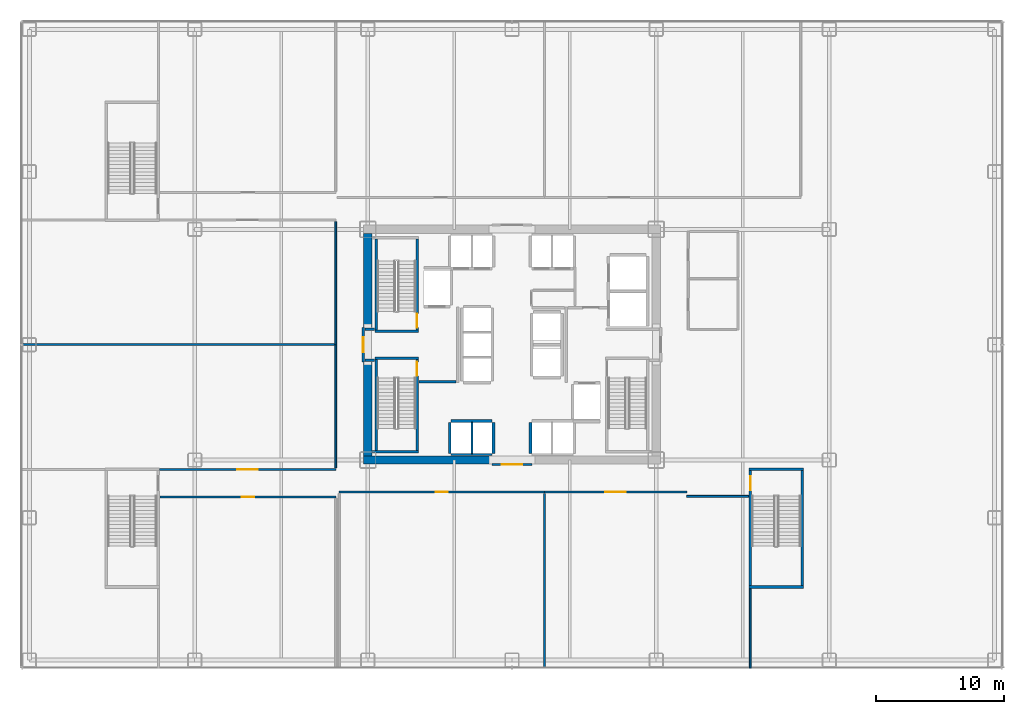
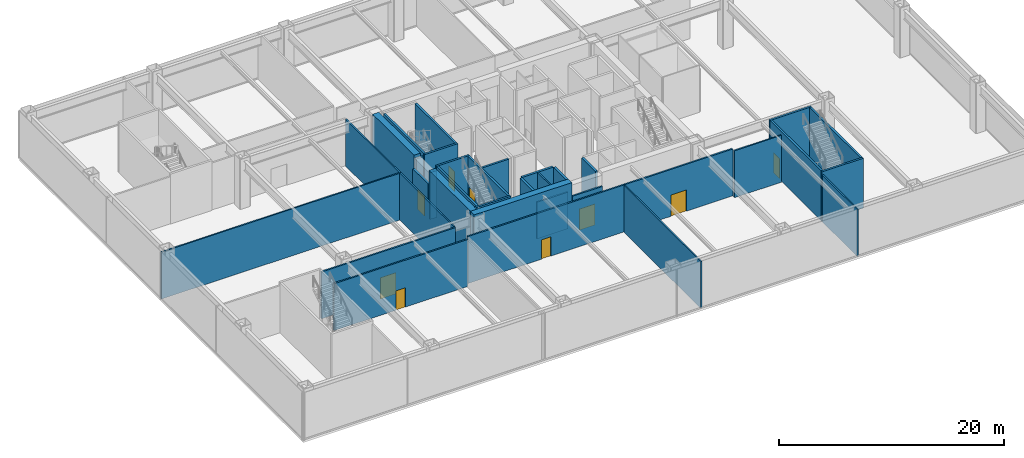
# One storey, part 17 of 24: 35 walls, 9 doors, 9 openings.
"""IFC4 building model written with IfcOpenShell, lengths in metres."""

import ifcopenshell
import ifcopenshell.guid

model = None  # the IFC model being written
_history = None  # IfcOwnerHistory: only IFC2X3 demands one
_inside = {}  # id of a spatial element -> (the spatial element, [elements in it])
_under = {}  # id of a project, library or spatial element -> (it, [spatial elements below it])
_declared = {}  # id of a project -> (the project, [libraries it declares])
_typed = {}  # id of a type object -> (the type object, [elements of that type])
_made_of = {}  # id of a material, layer set ... -> (it, [elements and type objects made of it])


def new_model(schema):
    """Start an empty IFC model of exactly this schema.

    Asked for "IFC4X3", IfcOpenShell would pick the latest addendum, in which some entities
    have other attributes; the version numbers below select the first issue.
    IFC2X3 requires an IfcOwnerHistory on every rooted entity: one is made here for all.
    """
    global model, _history
    if schema == "IFC4X3":
        model = ifcopenshell.file(schema_version=(4, 3, 0, 0))
    else:
        model = ifcopenshell.file(schema=schema)
    _inside.clear()
    _under.clear()
    _declared.clear()
    _typed.clear()
    _made_of.clear()
    _history = None
    if model.schema == "IFC2X3":
        org = make("IfcOrganization", Name="unknown")
        user = make(
            "IfcPersonAndOrganization",
            ThePerson=make("IfcPerson", FamilyName="unknown"),
            TheOrganization=org,
        )
        app = make(
            "IfcApplication",
            ApplicationDeveloper=org,
            Version="unknown",
            ApplicationFullName="unknown",
            ApplicationIdentifier="unknown",
        )
        _history = make(
            "IfcOwnerHistory",
            OwningUser=user,
            OwningApplication=app,
            ChangeAction="ADDED",
            CreationDate=0,
        )
    return model


def make(cls, **values):
    """One entity of the class cls with the attributes given. An attribute that is None is left unset."""
    return model.create_entity(
        cls, **{name: value for name, value in values.items() if value is not None}
    )


def rooted(cls, **values):
    """An entity with a GlobalId (a new one), such as an element, a storey or a relation."""
    return make(cls, GlobalId=ifcopenshell.guid.new(), OwnerHistory=_history, **values)


def si_unit(unit_type, name, prefix=None):
    """IfcSIUnit, for example si_unit("LENGTHUNIT", "METRE", prefix="MILLI")."""
    return make("IfcSIUnit", UnitType=unit_type, Prefix=prefix, Name=name)


def assignment(units):
    """IfcUnitAssignment: the units of a project."""
    return None if units is None else make("IfcUnitAssignment", Units=units)


def point(xyz):
    """IfcCartesianPoint."""
    return None if xyz is None else make("IfcCartesianPoint", Coordinates=xyz)


def direction(xyz):
    """IfcDirection."""
    return None if xyz is None else make("IfcDirection", DirectionRatios=xyz)


def frame(location, z_axis=None, x_axis=None):
    """IfcAxis2Placement3D, a coordinate frame: its origin and axes. An axis left out is left unset."""
    return make(
        "IfcAxis2Placement3D",
        Location=point(location),
        Axis=direction(z_axis),
        RefDirection=direction(x_axis),
    )


def frame_2d(location, x_axis=None):
    """IfcAxis2Placement2D, a coordinate frame in the plane: its origin and x axis."""
    return make(
        "IfcAxis2Placement2D", Location=point(location), RefDirection=direction(x_axis)
    )


def origin():
    """The frame at (0, 0, 0) with its axes left unset."""
    return frame((0.0, 0.0, 0.0))


def place(relative_to, where):
    """IfcLocalPlacement: puts the frame where relative to a parent placement (None: the world)."""
    return make(
        "IfcLocalPlacement", PlacementRelTo=relative_to, RelativePlacement=where
    )


def context(
    kind, dimensions, precision=None, world=None, true_north=None, identifier=None
):
    """IfcGeometricRepresentationContext, for example the 3D "Model" context."""
    return make(
        "IfcGeometricRepresentationContext",
        ContextIdentifier=identifier,
        ContextType=kind,
        CoordinateSpaceDimension=dimensions,
        Precision=precision,
        WorldCoordinateSystem=world,
        TrueNorth=true_north,
    )


def subcontext(parent, identifier, kind, view, scale=None):
    """IfcGeometricRepresentationSubContext, for example "Body" below "Model"."""
    return make(
        "IfcGeometricRepresentationSubContext",
        ContextIdentifier=identifier,
        ContextType=kind,
        ParentContext=parent,
        TargetScale=scale,
        TargetView=view,
    )


def project(units=None, contexts=None):
    """IfcProject with its units and contexts."""
    return rooted(
        "IfcProject",
        Name="project",
        RepresentationContexts=contexts,
        UnitsInContext=assignment(units),
    )


def spatial(cls, under=None, at=None, **own):
    """A site, building, storey or space (cls), placed at a placement, below another one or the project."""
    s = rooted(cls, ObjectPlacement=at, **own)
    if under is not None:
        _under.setdefault(under.id(), (under, []))[1].append(s)
    return s


def profile(cls, at=None, kind="AREA", **sizes):
    """A parametric profile (cls). Its sizes go by their IFC names, for example OverallWidth=200.0."""
    return make(cls, ProfileType=kind, Position=at, **sizes)


def rectangle(**sizes):
    """IfcRectangleProfileDef."""
    return profile("IfcRectangleProfileDef", **sizes)


def extrude(swept, where, along, depth):
    """IfcExtrudedAreaSolid: the profile swept, set in the frame where, extruded along a direction by depth."""
    return make(
        "IfcExtrudedAreaSolid",
        SweptArea=swept,
        Position=where,
        ExtrudedDirection=direction(along),
        Depth=depth,
    )


def shape(context_of_items, identifier, shape_type, items):
    """IfcShapeRepresentation: the items that make up one representation, for example the "Body"."""
    return make(
        "IfcShapeRepresentation",
        ContextOfItems=context_of_items,
        RepresentationIdentifier=identifier,
        RepresentationType=shape_type,
        Items=items,
    )


def source(mapping_origin, context_of_items, identifier, shape_type, items):
    """IfcRepresentationMap: a shape defined once, which mapped items show again and again."""
    return make(
        "IfcRepresentationMap",
        MappingOrigin=mapping_origin,
        MappedRepresentation=shape(context_of_items, identifier, shape_type, items),
    )


def transform(
    local_origin,
    x_axis=None,
    y_axis=None,
    z_axis=None,
    scale=None,
    scale2=None,
    scale3=None,
    uniform=True,
):
    """IfcCartesianTransformationOperator3D, or its non-uniform kind. x_axis, y_axis, z_axis: its Axis1, 2, 3."""
    if uniform:
        return make(
            "IfcCartesianTransformationOperator3D",
            Axis1=direction(x_axis),
            Axis2=direction(y_axis),
            LocalOrigin=point(local_origin),
            Scale=scale,
            Axis3=direction(z_axis),
        )
    return make(
        "IfcCartesianTransformationOperator3DnonUniform",
        Axis1=direction(x_axis),
        Axis2=direction(y_axis),
        LocalOrigin=point(local_origin),
        Scale=scale,
        Axis3=direction(z_axis),
        Scale2=scale2,
        Scale3=scale3,
    )


def mapped(mapping_source, mapping_target):
    """IfcMappedItem: shows the shape of a source again, moved by a transform."""
    return make(
        "IfcMappedItem", MappingSource=mapping_source, MappingTarget=mapping_target
    )


def material(Name=None, Category=None):
    """IfcMaterial."""
    return make("IfcMaterial", Name=Name, Category=Category)


def layer(
    of_material, thickness, ventilated=None, Name=None, Category=None, Priority=None
):
    """IfcMaterialLayer: one layer of a wall or slab, of a material (None: an air gap)."""
    return make(
        "IfcMaterialLayer",
        Material=of_material,
        LayerThickness=thickness,
        IsVentilated=ventilated,
        Name=Name,
        Category=Category,
        Priority=Priority,
    )


def layer_set(layers, Name=None):
    """IfcMaterialLayerSet."""
    return make("IfcMaterialLayerSet", MaterialLayers=layers, LayerSetName=Name)


def made_of(thing, what):
    """Note that an element or type object is made of a material, layer set ...; save() writes the relation."""
    if what is not None:
        _made_of.setdefault(what.id(), (what, []))[1].append(thing)
    return thing


def type_object(cls, material=None, **own):
    """A type object (cls), such as IfcWallType, which elements share."""
    return made_of(rooted(cls, **own), material)


def element(
    cls,
    number,
    at=None,
    inside=None,
    cuts=None,
    type_object=None,
    material=None,
    context=None,
    identifier="Body",
    shape_type=None,
    held_by="IfcProductDefinitionShape",
    body=None,
    shapes=None,
    **own,
):
    """One element of the class cls, such as IfcWall. Its Tag is "e" and its number.

    at: its placement. inside: the storey or other place that contains it. cuts: it is an
    opening in that element (IfcRelVoidsElement). A single representation is given by context,
    identifier, shape_type and body (its items); several are given by shapes. held_by: the class
    of the entity that holds the representations. save() writes the other relations.
    """
    e = rooted(cls, Tag="e%d" % number, ObjectPlacement=at, **own)
    if body is not None:
        shapes = [shape(context, identifier, shape_type, body)]
    if shapes is not None:
        e.Representation = make(held_by, Representations=shapes)
    if inside is not None:
        _inside.setdefault(inside.id(), (inside, []))[1].append(e)
    if cuts is not None:
        rooted(
            "IfcRelVoidsElement", RelatingBuildingElement=cuts, RelatedOpeningElement=e
        )
    if type_object is not None:
        _typed.setdefault(type_object.id(), (type_object, []))[1].append(e)
    return made_of(e, material)


def fill(opening, filler):
    """IfcRelFillsElement: the door or window that sits in an opening."""
    return rooted(
        "IfcRelFillsElement",
        RelatingOpeningElement=opening,
        RelatedBuildingElement=filler,
    )


def aggregate(whole, parts):
    """IfcRelAggregates: a whole, such as a stair, and the parts it consists of."""
    return rooted("IfcRelAggregates", RelatingObject=whole, RelatedObjects=parts)


def save(model, path):
    """Write the relations noted so far, then the file.

    IfcRelAggregates (storeys below a building ...), IfcRelContainedInSpatialStructure (elements
    in a storey), IfcRelDefinesByType, IfcRelAssociatesMaterial and IfcRelDeclares: one each for
    every whole, place, type object, material and project.
    """
    for whole, parts in _under.values():
        aggregate(whole, parts)
    for where, things in _inside.values():
        rooted(
            "IfcRelContainedInSpatialStructure",
            RelatedElements=things,
            RelatingStructure=where,
        )
    for kind, things in _typed.values():
        rooted("IfcRelDefinesByType", RelatedObjects=things, RelatingType=kind)
    for what, things in _made_of.values():
        rooted("IfcRelAssociatesMaterial", RelatedObjects=things, RelatingMaterial=what)
    for by, libraries in _declared.values():
        rooted("IfcRelDeclares", RelatingContext=by, RelatedDefinitions=libraries)
    model.write(path)


model = new_model("IFC4")

# Units and contexts
model_context = context("Model", 3, precision=1e-05, world=origin(), true_north=direction((0.0, 1.0)))
body_context = subcontext(model_context, "Body", "Model", "MODEL_VIEW")
ifc_project = project(units=[si_unit("LENGTHUNIT", "METRE"), si_unit("AREAUNIT", "SQUARE_METRE"), si_unit("VOLUMEUNIT", "CUBIC_METRE"), si_unit("PLANEANGLEUNIT", "RADIAN"), si_unit("MASSUNIT", "GRAM", prefix="KILO")], contexts=[model_context])

# Site, building, storey
site_placement = place(None, origin())
site = spatial("IfcSite", under=ifc_project, at=site_placement, CompositionType="ELEMENT")
building_placement = place(site_placement, origin())
building = spatial("IfcBuilding", under=site, at=building_placement, Name="Nefas-Gora Pilgrimage Tower", CompositionType="ELEMENT")
storey_placement = place(building_placement, frame((0.0, 0.0, 16.800048828125)))
storey = spatial("IfcBuildingStorey", under=building, at=storey_placement, Name="L03", CompositionType="ELEMENT", Elevation=16.800048828125)

# Walls
ifc_material_1 = material(Name="Concrete C60/75", Category="concrete")
ifc_layer_1 = layer(ifc_material_1, 0.64990234375)
ifc_layer_set_1 = layer_set([ifc_layer_1], Name="Concrete C60/75")
wall_type_1 = type_object("IfcWallType", Name="SW-CORE-650", PredefinedType="SHEAR", material=ifc_layer_set_1)
shared_shape_1 = source(origin(), body_context, "Body", "SweptSolid", [
    extrude(rectangle(XDim=10.02490234375, YDim=0.64990234375, at=frame_2d((5.012451171875, 0.0))), origin(), (0.0, 0.0, 1.0), 5.39990234375),
])
wall_1_placement = place(storey_placement, frame((-11.574951171875, -9.0, 0.0), z_axis=(0.0, 0.0, 1.0), x_axis=(1.0, 0.0, 0.0)))
element("IfcWall", 1, at=wall_1_placement, inside=storey, type_object=wall_type_1, Name="L03 Core Shear Wall S-West", PredefinedType="SHEAR", context=body_context, shape_type="MappedRepresentation", body=[
    mapped(shared_shape_1, transform((0.0, 0.0, 0.0), x_axis=(1.0, 0.0, 0.0), y_axis=(0.0, 1.0, 0.0), z_axis=(0.0, 0.0, 1.0), scale=1.0)),
])
shared_shape_2 = source(origin(), body_context, "Body", "SweptSolid", [
    extrude(rectangle(XDim=7.324951171875, YDim=0.64990234375, at=frame_2d((3.66259765625, 0.0))), origin(), (0.0, 0.0, 1.0), 5.39990234375),
])
for number, where, z_axis, x_axis, name in (
    (2, (-11.25, -8.675048828125, 0.0), (0.0, 0.0, 1.0), (0.0, 1.0, 0.0), "L03 Core Shear Wall W-South"),
    (3, (-11.25, 1.35009765625, 0.0), (0.0, 0.0, 1.0), (0.0, 1.0, 0.0), "L03 Core Shear Wall W-North"),
):
    element("IfcWall", number, at=place(storey_placement, frame(where, z_axis=z_axis, x_axis=x_axis)), inside=storey, type_object=wall_type_1, Name=name, PredefinedType="SHEAR", context=body_context, shape_type="MappedRepresentation", body=[
        mapped(shared_shape_2, transform((0.0, 0.0, 0.0), x_axis=(1.0, 0.0, 0.0), y_axis=(0.0, 1.0, 0.0), z_axis=(0.0, 0.0, 1.0), scale=1.0)),
    ])
ifc_material_2 = material(Name="Concrete C45/55", Category="concrete")
ifc_layer_2 = layer(ifc_material_2, 0.199951171875)
ifc_layer_set_2 = layer_set([ifc_layer_2], Name="Concrete C45/55")
wall_type_2 = type_object("IfcWallType", Name="IW-STAIR-200", PredefinedType="SOLIDWALL", material=ifc_layer_set_2)
shared_shape_3 = source(origin(), body_context, "Body", "SweptSolid", [
    extrude(rectangle(XDim=3.39990234375, YDim=0.199951171875, at=frame_2d((1.699951171875, 0.0))), origin(), (0.0, 0.0, 1.0), 5.39990234375),
])
for number, where, z_axis, x_axis, name in (
    (4, (-7.300048828125, 1.050048828125, 0.0), (0.0, 0.0, 1.0), (-1.0, 0.0, 0.0), "L03 Stairwell Shear Wall ST-01-near"),
    (5, (-10.699951171875, -1.050048828125, 0.0), (0.0, 0.0, 1.0), (1.0, 0.0, 0.0), "L03 Stairwell Shear Wall ST-03-near"),
):
    element("IfcWall", number, at=place(storey_placement, frame(where, z_axis=z_axis, x_axis=x_axis)), inside=storey, type_object=wall_type_2, Name=name, PredefinedType="SOLIDWALL", context=body_context, shape_type="MappedRepresentation", body=[
        mapped(shared_shape_3, transform((0.0, 0.0, 0.0), x_axis=(1.0, 0.0, 0.0), y_axis=(0.0, 1.0, 0.0), z_axis=(0.0, 0.0, 1.0), scale=1.0)),
    ])
shared_shape_4 = source(origin(), body_context, "Body", "SweptSolid", [
    extrude(rectangle(XDim=3.6298828125, YDim=0.199951171875, at=frame_2d((1.81494140625, 0.0))), origin(), (0.0, 0.0, 1.0), 5.39990234375),
])
wall_2_placement = place(storey_placement, frame((-10.929931640625, -8.35009765625, 0.0), z_axis=(0.0, 0.0, 1.0), x_axis=(1.0, 0.0, 0.0)))
element("IfcWall", 6, at=wall_2_placement, inside=storey, type_object=wall_type_2, Name="L03 Stairwell Shear Wall ST-03-far", PredefinedType="SOLIDWALL", context=body_context, shape_type="MappedRepresentation", body=[
    mapped(shared_shape_4, transform((0.0, 0.0, 0.0), x_axis=(1.0, 0.0, 0.0), y_axis=(0.0, 1.0, 0.0), z_axis=(0.0, 0.0, 1.0), scale=1.0)),
])

# Wall, opening, door
shared_shape_5 = source(origin(), body_context, "Body", "SweptSolid", [
    extrude(rectangle(XDim=7.10009765625, YDim=0.199951171875, at=frame_2d((3.550048828125, 0.0))), origin(), (0.0, 0.0, 1.0), 5.39990234375),
])
wall_3_placement = place(storey_placement, frame((-7.39990234375, 1.14990234375, 0.0), z_axis=(0.0, 0.0, 1.0), x_axis=(0.0, 1.0, 0.0)))
wall_3 = element("IfcWall", 7, at=wall_3_placement, inside=storey, type_object=wall_type_2, Name="L03 Stairwell Shear Wall ST-01-left", PredefinedType="SOLIDWALL", context=body_context, shape_type="MappedRepresentation", body=[
    mapped(shared_shape_5, transform((0.0, 0.0, 0.0), x_axis=(1.0, 0.0, 0.0), y_axis=(0.0, 1.0, 0.0), z_axis=(0.0, 0.0, 1.0), scale=1.0)),
])
opening_1_placement = place(wall_3_placement, frame((0.179931640625, 0.0, 0.0)))
opening_1 = element("IfcOpeningElement", 8, at=opening_1_placement, cuts=wall_3, Name="Opening ID-ST1", PredefinedType="OPENING", context=body_context, shape_type="SweptSolid", body=[
    extrude(rectangle(XDim=1.10009765625, YDim=2.14990234375, at=frame_2d((0.550048828125, 1.074951171875))), frame((0.0, 0.10986328125, 0.0), z_axis=(0.0, -1.0, 0.0), x_axis=(1.0, 0.0, 0.0)), (0.0, 0.0, 1.0), 0.219970703125),
])
ifc_material_3 = material(Name="Painted galvanised steel fire stair door", Category="steel")
door_type_1 = type_object("IfcDoorType", Name="DR-INT-STAIR-1100", OperationType="NOTDEFINED", PredefinedType="DOOR", material=ifc_material_3)
shared_shape_6 = source(origin(), body_context, "Body", "SweptSolid", [
    extrude(rectangle(XDim=1.10009765625, YDim=2.14990234375, at=frame_2d((0.550048828125, 1.074951171875))), frame((0.0, 0.02490234375, 0.0), z_axis=(0.0, -1.0, 0.0), x_axis=(1.0, 0.0, 0.0)), (0.0, 0.0, 1.0), 0.050048828125),
])
door_1_placement = place(opening_1_placement, origin())
door_1 = element("IfcDoor", 9, at=door_1_placement, inside=storey, type_object=door_type_1, Name="L03 Protected Exit Stair Door ST-01", OperationType="SINGLE_SWING_LEFT", OverallHeight=2.14990234375, OverallWidth=1.10009765625, PredefinedType="DOOR", context=body_context, shape_type="MappedRepresentation", body=[
    mapped(shared_shape_6, transform((0.0, 0.0, 0.0), x_axis=(1.0, 0.0, 0.0), y_axis=(0.0, 1.0, 0.0), z_axis=(0.0, 0.0, 1.0), scale=1.0)),
])
fill(opening_1, door_1)

# Walls
for number, where, z_axis, x_axis, name in (
    (10, (-10.60009765625, 1.14990234375, 0.0), (0.0, 0.0, 1.0), (0.0, 1.0, 0.0), "L03 Stairwell Shear Wall ST-01-right"),
    (11, (-10.60009765625, -1.14990234375, 0.0), (0.0, 0.0, 1.0), (0.0, -1.0, 0.0), "L03 Stairwell Shear Wall ST-03-left"),
):
    element("IfcWall", number, at=place(storey_placement, frame(where, z_axis=z_axis, x_axis=x_axis)), inside=storey, type_object=wall_type_2, Name=name, PredefinedType="SOLIDWALL", context=body_context, shape_type="MappedRepresentation", body=[
        mapped(shared_shape_5, transform((0.0, 0.0, 0.0), x_axis=(1.0, 0.0, 0.0), y_axis=(0.0, 1.0, 0.0), z_axis=(0.0, 0.0, 1.0), scale=1.0)),
    ])

# Wall, opening, door
wall_4_placement = place(storey_placement, frame((-7.39990234375, -1.14990234375, 0.0), z_axis=(0.0, 0.0, 1.0), x_axis=(0.0, -1.0, 0.0)))
wall_4 = element("IfcWall", 12, at=wall_4_placement, inside=storey, type_object=wall_type_2, Name="L03 Stairwell Shear Wall ST-03-right", PredefinedType="SOLIDWALL", context=body_context, shape_type="MappedRepresentation", body=[
    mapped(shared_shape_5, transform((0.0, 0.0, 0.0), x_axis=(1.0, 0.0, 0.0), y_axis=(0.0, 1.0, 0.0), z_axis=(0.0, 0.0, 1.0), scale=1.0)),
])
opening_2_placement = place(wall_4_placement, frame((0.179931640625, 0.0, 0.0)))
opening_2 = element("IfcOpeningElement", 13, at=opening_2_placement, cuts=wall_4, Name="Opening ID-ST1", PredefinedType="OPENING", context=body_context, shape_type="SweptSolid", body=[
    extrude(rectangle(XDim=1.10009765625, YDim=2.14990234375, at=frame_2d((0.550048828125, 1.074951171875))), frame((0.0, 0.10986328125, 0.0), z_axis=(0.0, -1.0, 0.0), x_axis=(1.0, 0.0, 0.0)), (0.0, 0.0, 1.0), 0.219970703125),
])
door_2_placement = place(opening_2_placement, origin())
door_2 = element("IfcDoor", 14, at=door_2_placement, inside=storey, type_object=door_type_1, Name="L03 Protected Exit Stair Door ST-03", OperationType="SINGLE_SWING_LEFT", OverallHeight=2.14990234375, OverallWidth=1.10009765625, PredefinedType="DOOR", context=body_context, shape_type="MappedRepresentation", body=[
    mapped(shared_shape_6, transform((0.0, 0.0, 0.0), x_axis=(1.0, 0.0, 0.0), y_axis=(0.0, 1.0, 0.0), z_axis=(0.0, 0.0, 1.0), scale=1.0)),
])
fill(opening_2, door_2)

# Walls
shared_shape_7 = source(origin(), body_context, "Body", "SweptSolid", [
    extrude(rectangle(XDim=4.239990234375, YDim=0.199951171875, at=frame_2d((2.1201171875, 0.0))), origin(), (0.0, 0.0, 1.0), 5.39990234375),
])
for number, where, z_axis, x_axis, name in (
    (15, (18.5, -9.699951171875, 0.0), (0.0, 0.0, 1.0), (1.0, 0.0, 0.0), "L03 Stairwell Shear Wall ST-06-near"),
    (16, (18.5, -18.89990234375, 0.0), (0.0, 0.0, 1.0), (1.0, 0.0, 0.0), "L03 Stairwell Shear Wall ST-06-far"),
):
    element("IfcWall", number, at=place(storey_placement, frame(where, z_axis=z_axis, x_axis=x_axis)), inside=storey, type_object=wall_type_2, Name=name, PredefinedType="SOLIDWALL", context=body_context, shape_type="MappedRepresentation", body=[
        mapped(shared_shape_7, transform((0.0, 0.0, 0.0), x_axis=(1.0, 0.0, 0.0), y_axis=(0.0, 1.0, 0.0), z_axis=(0.0, 0.0, 1.0), scale=1.0)),
    ])

# Wall, opening, door
shared_shape_8 = source(origin(), body_context, "Body", "SweptSolid", [
    extrude(rectangle(XDim=9.0, YDim=0.199951171875, at=frame_2d((4.5, 0.0))), origin(), (0.0, 0.0, 1.0), 5.39990234375),
])
wall_5_placement = place(storey_placement, frame((18.60009765625, -9.800048828125, 0.0), z_axis=(0.0, 0.0, 1.0), x_axis=(0.0, -1.0, 0.0)))
wall_5 = element("IfcWall", 17, at=wall_5_placement, inside=storey, type_object=wall_type_2, Name="L03 Stairwell Shear Wall ST-06-left", PredefinedType="SOLIDWALL", context=body_context, shape_type="MappedRepresentation", body=[
    mapped(shared_shape_8, transform((0.0, 0.0, 0.0), x_axis=(1.0, 0.0, 0.0), y_axis=(0.0, 1.0, 0.0), z_axis=(0.0, 0.0, 1.0), scale=1.0)),
])
opening_3_placement = place(wall_5_placement, frame((0.449951171875, 0.0, 0.0)))
opening_3 = element("IfcOpeningElement", 18, at=opening_3_placement, cuts=wall_5, Name="Opening ID-ST1", PredefinedType="OPENING", context=body_context, shape_type="SweptSolid", body=[
    extrude(rectangle(XDim=1.10009765625, YDim=2.14990234375, at=frame_2d((0.550048828125, 1.074951171875))), frame((0.0, 0.10986328125, 0.0), z_axis=(0.0, -1.0, 0.0), x_axis=(1.0, 0.0, 0.0)), (0.0, 0.0, 1.0), 0.219970703125),
])
door_3_placement = place(opening_3_placement, origin())
door_3 = element("IfcDoor", 19, at=door_3_placement, inside=storey, type_object=door_type_1, Name="L03 Protected Exit Stair Door ST-06", OperationType="SINGLE_SWING_LEFT", OverallHeight=2.14990234375, OverallWidth=1.10009765625, PredefinedType="DOOR", context=body_context, shape_type="MappedRepresentation", body=[
    mapped(shared_shape_6, transform((0.0, 0.0, 0.0), x_axis=(1.0, 0.0, 0.0), y_axis=(0.0, 1.0, 0.0), z_axis=(0.0, 0.0, 1.0), scale=1.0)),
])
fill(opening_3, door_3)

# Walls
wall_6_placement = place(storey_placement, frame((22.639892578125, -9.800048828125, 0.0), z_axis=(0.0, 0.0, 1.0), x_axis=(0.0, -1.0, 0.0)))
element("IfcWall", 20, at=wall_6_placement, inside=storey, type_object=wall_type_2, Name="L03 Stairwell Shear Wall ST-06-right", PredefinedType="SOLIDWALL", context=body_context, shape_type="MappedRepresentation", body=[
    mapped(shared_shape_8, transform((0.0, 0.0, 0.0), x_axis=(1.0, 0.0, 0.0), y_axis=(0.0, 1.0, 0.0), z_axis=(0.0, 0.0, 1.0), scale=1.0)),
])
ifc_material_4 = material(Name="Concrete C40/50", Category="concrete")
ifc_layer_3 = layer(ifc_material_4, 0.219970703125)
ifc_layer_set_3 = layer_set([ifc_layer_3], Name="Concrete C40/50")
wall_type_3 = type_object("IfcWallType", Name="IW-SHAFT-220", PredefinedType="SOLIDWALL", material=ifc_layer_set_3)
shared_shape_9 = source(origin(), body_context, "Body", "SweptSolid", [
    extrude(rectangle(XDim=3.199951171875, YDim=0.219970703125, at=frame_2d((1.60009765625, 0.0))), origin(), (0.0, 0.0, 1.0), 5.0849609375),
])
wall_7_placement = place(storey_placement, frame((-1.550048828125, -5.93994140625, 0.0), z_axis=(0.0, 0.0, 1.0), x_axis=(-1.0, 0.0, 0.0)))
element("IfcWall", 21, at=wall_7_placement, inside=storey, type_object=wall_type_3, Name="L03 Hoistway Wall PL2-W-N", PredefinedType="SOLIDWALL", context=body_context, shape_type="MappedRepresentation", body=[
    mapped(shared_shape_9, transform((0.0, 0.0, 0.0), x_axis=(1.0, 0.0, 0.0), y_axis=(0.0, 1.0, 0.0), z_axis=(0.0, 0.0, 1.0), scale=1.0)),
])
shared_shape_10 = source(origin(), body_context, "Body", "SweptSolid", [
    extrude(rectangle(XDim=2.429931640625, YDim=0.219970703125, at=frame_2d((1.21484375, 0.0))), origin(), (0.0, 0.0, 1.0), 5.0849609375),
])
for number, where, z_axis, x_axis, name in (
    (22, (-4.860107421875, -6.06005859375, 0.0), (0.0, 0.0, 1.0), (0.0, -1.0, 0.0), "L03 Hoistway Wall PL2-W-W"),
    (23, (-1.43994140625, -8.489990234375, 0.0), (0.0, 0.0, 1.0), (0.0, 1.0, 0.0), "L03 Hoistway Wall PL2-W-E"),
    (24, (1.43994140625, -6.06005859375, 0.0), (0.0, 0.0, 1.0), (0.0, -1.0, 0.0), "L03 Hoistway Wall PL2-E-W"),
):
    element("IfcWall", number, at=place(storey_placement, frame(where, z_axis=z_axis, x_axis=x_axis)), inside=storey, type_object=wall_type_3, Name=name, PredefinedType="SOLIDWALL", context=body_context, shape_type="MappedRepresentation", body=[
        mapped(shared_shape_10, transform((0.0, 0.0, 0.0), x_axis=(1.0, 0.0, 0.0), y_axis=(0.0, 1.0, 0.0), z_axis=(0.0, 0.0, 1.0), scale=1.0)),
    ])
ifc_material_5 = material(Name="Gypsum twin-stud partition")
ifc_layer_4 = layer(ifc_material_5, 0.139892578125)
ifc_layer_set_4 = layer_set([ifc_layer_4], Name="Gypsum twin-stud partition")
wall_type_4 = type_object("IfcWallType", Name="IW-UNIT-140", PredefinedType="PARTITIONING", material=ifc_layer_set_4)
shared_shape_11 = source(origin(), body_context, "Body", "SweptSolid", [
    extrude(rectangle(XDim=2.429931640625, YDim=0.139892578125, at=frame_2d((1.21484375, 0.0))), origin(), (0.0, 0.0, 1.0), 5.0849609375),
])
wall_8_placement = place(storey_placement, frame((-3.125, -8.489990234375, 0.0), z_axis=(0.0, 0.0, 1.0), x_axis=(0.0, 1.0, 0.0)))
element("IfcWall", 25, at=wall_8_placement, inside=storey, type_object=wall_type_4, Name="L03 Hoistway Wall PL2-W-DIV", PredefinedType="PARTITIONING", context=body_context, shape_type="MappedRepresentation", body=[
    mapped(shared_shape_11, transform((0.0, 0.0, 0.0), x_axis=(1.0, 0.0, 0.0), y_axis=(0.0, 1.0, 0.0), z_axis=(0.0, 0.0, 1.0), scale=1.0)),
])
ifc_material_6 = material(Name="Gypsum acoustic stud partition")
ifc_layer_5 = layer(ifc_material_6, 0.159912109375)
ifc_layer_set_5 = layer_set([ifc_layer_5], Name="Gypsum acoustic stud partition")
wall_type_5 = type_object("IfcWallType", Name="IW-CORR-160", PredefinedType="PARTITIONING", material=ifc_layer_set_5)
shared_shape_12 = source(origin(), body_context, "Body", "SweptSolid", [
    extrude(rectangle(XDim=3.199951171875, YDim=0.159912109375, at=frame_2d((1.60009765625, 0.0))), origin(), (0.0, 0.0, 1.0), 3.974853515625),
])
wall_9_placement = place(storey_placement, frame((-4.75, -8.580078125, 0.0), z_axis=(0.0, 0.0, 1.0), x_axis=(1.0, 0.0, 0.0)))
element("IfcWall", 26, at=wall_9_placement, inside=storey, type_object=wall_type_5, Name="L03 Hoistway Wall PL2-W-S", PredefinedType="PARTITIONING", context=body_context, shape_type="MappedRepresentation", body=[
    mapped(shared_shape_12, transform((0.0, 0.0, 0.0), x_axis=(1.0, 0.0, 0.0), y_axis=(0.0, 1.0, 0.0), z_axis=(0.0, 0.0, 1.0), scale=1.0)),
])
ifc_material_7 = material(Name="Gypsum fire-rated shaftwall")
ifc_layer_6 = layer(ifc_material_7, 0.199951171875)
ifc_layer_set_6 = layer_set([ifc_layer_6], Name="Gypsum fire-rated shaftwall")
wall_type_6 = type_object("IfcWallType", Name="IW-FFLOB-200", PredefinedType="PARTITIONING", material=ifc_layer_set_6)
shared_shape_13 = source(origin(), body_context, "Body", "SweptSolid", [
    extrude(rectangle(XDim=2.89990234375, YDim=0.199951171875, at=frame_2d((1.449951171875, 0.0))), origin(), (0.0, 0.0, 1.0), 5.0849609375),
])
wall_10_placement = place(storey_placement, frame((-7.260009765625, -2.89990234375, 0.0), z_axis=(0.0, 0.0, 1.0), x_axis=(1.0, 0.0, 0.0)))
element("IfcWall", 27, at=wall_10_placement, inside=storey, type_object=wall_type_6, Name="L03 FF Lobby West South Wall Wall 5", PredefinedType="PARTITIONING", context=body_context, shape_type="MappedRepresentation", body=[
    mapped(shared_shape_13, transform((0.0, 0.0, 0.0), x_axis=(1.0, 0.0, 0.0), y_axis=(0.0, 1.0, 0.0), z_axis=(0.0, 0.0, 1.0), scale=1.0)),
])
shared_shape_14 = source(origin(), body_context, "Body", "SweptSolid", [
    extrude(rectangle(XDim=0.719970703125, YDim=0.199951171875, at=frame_2d((0.35986328125, 0.0))), origin(), (0.0, 0.0, 1.0), 5.0849609375),
])
for number, where, z_axis, x_axis, name in (
    (28, (-11.4599609375, 1.219970703125, 0.0), (0.0, 0.0, 1.0), (1.0, 0.0, 0.0), "L03 FF Lobby West Throat N Wall 6"),
    (29, (-11.4599609375, -1.219970703125, 0.0), (0.0, 0.0, 1.0), (1.0, 0.0, 0.0), "L03 FF Lobby West Throat S Wall 7"),
):
    element("IfcWall", number, at=place(storey_placement, frame(where, z_axis=z_axis, x_axis=x_axis)), inside=storey, type_object=wall_type_6, Name=name, PredefinedType="PARTITIONING", context=body_context, shape_type="MappedRepresentation", body=[
        mapped(shared_shape_14, transform((0.0, 0.0, 0.0), x_axis=(1.0, 0.0, 0.0), y_axis=(0.0, 1.0, 0.0), z_axis=(0.0, 0.0, 1.0), scale=1.0)),
    ])
shared_shape_15 = source(origin(), body_context, "Body", "SweptSolid", [
    extrude(rectangle(XDim=6.179931640625, YDim=0.139892578125, at=frame_2d((3.08984375, 0.0))), origin(), (0.0, 0.0, 1.0), 5.0849609375),
])
wall_11_placement = place(storey_placement, frame((18.580078125, -25.219970703125, 0.0), z_axis=(0.0, 0.0, 1.0), x_axis=(0.0, 1.0, 0.0)))
element("IfcWall", 30, at=wall_11_placement, inside=storey, type_object=wall_type_4, Name="L03 Private Group Refectory Hall Partition Wall 48", PredefinedType="PARTITIONING", context=body_context, shape_type="MappedRepresentation", body=[
    mapped(shared_shape_15, transform((0.0, 0.0, 0.0), x_axis=(1.0, 0.0, 0.0), y_axis=(0.0, 1.0, 0.0), z_axis=(0.0, 0.0, 1.0), scale=1.0)),
])
shared_shape_16 = source(origin(), body_context, "Body", "SweptSolid", [
    extrude(rectangle(XDim=13.60986328125, YDim=0.139892578125, at=frame_2d((6.804931640625, 0.0))), origin(), (0.0, 0.0, 1.0), 5.0849609375),
])
wall_12_placement = place(storey_placement, frame((2.530029296875, -25.219970703125, 0.0), z_axis=(0.0, 0.0, 1.0), x_axis=(0.0, 1.0, 0.0)))
element("IfcWall", 31, at=wall_12_placement, inside=storey, type_object=wall_type_4, Name="L03 Pilgrim Tea Tasting Lounge Partition Wall 44", PredefinedType="PARTITIONING", context=body_context, shape_type="MappedRepresentation", body=[
    mapped(shared_shape_16, transform((0.0, 0.0, 0.0), x_axis=(1.0, 0.0, 0.0), y_axis=(0.0, 1.0, 0.0), z_axis=(0.0, 0.0, 1.0), scale=1.0)),
])

# Wall, opening, door
shared_shape_17 = source(origin(), body_context, "Body", "SweptSolid", [
    extrude(rectangle(XDim=13.719970703125, YDim=0.159912109375, at=frame_2d((6.85986328125, 0.0))), origin(), (0.0, 0.0, 1.0), 5.0849609375),
])
wall_13_placement = place(storey_placement, frame((-27.4599609375, -11.8701171875, 0.0), z_axis=(0.0, 0.0, 1.0), x_axis=(1.0, 0.0, 0.0)))
wall_13 = element("IfcWall", 32, at=wall_13_placement, inside=storey, type_object=wall_type_5, Name="L03 Dishwashing and Cold Pantry Partition Wall 40", PredefinedType="PARTITIONING", context=body_context, shape_type="MappedRepresentation", body=[
    mapped(shared_shape_17, transform((0.0, 0.0, 0.0), x_axis=(1.0, 0.0, 0.0), y_axis=(0.0, 1.0, 0.0), z_axis=(0.0, 0.0, 1.0), scale=1.0)),
])
opening_4_placement = place(wall_13_placement, frame((6.385009765625, 0.0, 0.0)))
opening_4 = element("IfcOpeningElement", 33, at=opening_4_placement, cuts=wall_13, Name="Opening ID-GR1", PredefinedType="OPENING", context=body_context, shape_type="SweptSolid", body=[
    extrude(rectangle(XDim=0.949951171875, YDim=2.10009765625, at=frame_2d((0.47509765625, 1.050048828125))), frame((0.0, 0.08984375, 0.0), z_axis=(0.0, -1.0, 0.0), x_axis=(1.0, 0.0, 0.0)), (0.0, 0.0, 1.0), 0.179931640625),
])
ifc_material_8 = material(Name="Solid core oak fire-rated guest entrance door")
door_type_2 = type_object("IfcDoorType", Name="DR-INT-GUEST-950", OperationType="NOTDEFINED", PredefinedType="DOOR", material=ifc_material_8)
shared_shape_18 = source(origin(), body_context, "Body", "SweptSolid", [
    extrude(rectangle(XDim=0.949951171875, YDim=2.10009765625, at=frame_2d((0.47509765625, 1.050048828125))), frame((0.0, 0.02490234375, 0.0), z_axis=(0.0, -1.0, 0.0), x_axis=(1.0, 0.0, 0.0)), (0.0, 0.0, 1.0), 0.050048828125),
])
door_4_placement = place(opening_4_placement, origin())
door_4 = element("IfcDoor", 34, at=door_4_placement, inside=storey, type_object=door_type_2, Name="L03 Dishwashing and Cold Pantry Door 14", OperationType="SINGLE_SWING_LEFT", OverallHeight=2.10009765625, OverallWidth=0.949951171875, PredefinedType="DOOR", context=body_context, shape_type="MappedRepresentation", body=[
    mapped(shared_shape_18, transform((0.0, 0.0, 0.0), x_axis=(1.0, 0.0, 0.0), y_axis=(0.0, 1.0, 0.0), z_axis=(0.0, 0.0, 1.0), scale=1.0)),
])
fill(opening_4, door_4)

shared_shape_19 = source(origin(), body_context, "Body", "SweptSolid", [
    extrude(rectangle(XDim=2.7001953125, YDim=0.199951171875, at=frame_2d((1.35009765625, 0.0))), origin(), (0.0, 0.0, 1.0), 3.974853515625),
])
wall_14_placement = place(storey_placement, frame((-11.60009765625, -1.35009765625, 0.0), z_axis=(0.0, 0.0, 1.0), x_axis=(0.0, 1.0, 0.0)))
wall_14 = element("IfcWall", 35, at=wall_14_placement, inside=storey, type_object=wall_type_6, Name="L03 FF Lobby West Portal Wall 3", PredefinedType="PARTITIONING", context=body_context, shape_type="MappedRepresentation", body=[
    mapped(shared_shape_19, transform((0.0, 0.0, 0.0), x_axis=(1.0, 0.0, 0.0), y_axis=(0.0, 1.0, 0.0), z_axis=(0.0, 0.0, 1.0), scale=1.0)),
])
opening_5_placement = place(wall_14_placement, frame((0.75, 0.0, 0.0)))
opening_5 = element("IfcOpeningElement", 36, at=opening_5_placement, cuts=wall_14, Name="Opening ID-FF1", PredefinedType="OPENING", context=body_context, shape_type="SweptSolid", body=[
    extrude(rectangle(XDim=1.199951171875, YDim=2.14990234375, at=frame_2d((0.60009765625, 1.074951171875))), frame((0.0, 0.10986328125, 0.0), z_axis=(0.0, -1.0, 0.0), x_axis=(1.0, 0.0, 0.0)), (0.0, 0.0, 1.0), 0.219970703125),
])
ifc_material_9 = material(Name="Smoke-sealed steel firefighting lobby door", Category="steel")
door_type_3 = type_object("IfcDoorType", Name="DR-INT-FFLOB-1200", OperationType="NOTDEFINED", PredefinedType="DOOR", material=ifc_material_9)
shared_shape_20 = source(origin(), body_context, "Body", "SweptSolid", [
    extrude(rectangle(XDim=1.199951171875, YDim=2.14990234375, at=frame_2d((0.60009765625, 1.074951171875))), frame((0.0, 0.02490234375, 0.0), z_axis=(0.0, -1.0, 0.0), x_axis=(1.0, 0.0, 0.0)), (0.0, 0.0, 1.0), 0.050048828125),
])
door_5_placement = place(opening_5_placement, origin())
door_5 = element("IfcDoor", 37, at=door_5_placement, inside=storey, type_object=door_type_3, Name="L03 FF Lobby West Portal Door 1", OperationType="SINGLE_SWING_LEFT", OverallHeight=2.14990234375, OverallWidth=1.199951171875, PredefinedType="DOOR", context=body_context, shape_type="MappedRepresentation", body=[
    mapped(shared_shape_20, transform((0.0, 0.0, 0.0), x_axis=(1.0, 0.0, 0.0), y_axis=(0.0, 1.0, 0.0), z_axis=(0.0, 0.0, 1.0), scale=1.0)),
])
fill(opening_5, door_5)

shared_shape_21 = source(origin(), body_context, "Body", "SweptSolid", [
    extrude(rectangle(XDim=3.08984375, YDim=0.159912109375, at=frame_2d((1.544921875, 0.0))), origin(), (0.0, 0.0, 1.0), 3.974853515625),
])
wall_15_placement = place(storey_placement, frame((-1.544921875, -9.35009765625, 0.0), z_axis=(0.0, 0.0, 1.0), x_axis=(1.0, 0.0, 0.0)))
wall_15 = element("IfcWall", 38, at=wall_15_placement, inside=storey, type_object=wall_type_5, Name="L03 Central Lift Lobby South Portal Wall 15", PredefinedType="PARTITIONING", context=body_context, shape_type="MappedRepresentation", body=[
    mapped(shared_shape_21, transform((0.0, 0.0, 0.0), x_axis=(1.0, 0.0, 0.0), y_axis=(0.0, 1.0, 0.0), z_axis=(0.0, 0.0, 1.0), scale=1.0)),
])
opening_6_placement = place(wall_15_placement, frame((0.7451171875, 0.0, 0.0)))
opening_6 = element("IfcOpeningElement", 39, at=opening_6_placement, cuts=wall_15, Name="Opening ID-HL1", PredefinedType="OPENING", context=body_context, shape_type="SweptSolid", body=[
    extrude(rectangle(XDim=1.60009765625, YDim=2.300048828125, at=frame_2d((0.800048828125, 1.14990234375))), frame((0.0, 0.08984375, 0.0), z_axis=(0.0, -1.0, 0.0), x_axis=(1.0, 0.0, 0.0)), (0.0, 0.0, 1.0), 0.179931640625),
])
ifc_material_10 = material(Name="Double acoustic timber assembly hall door", Category="wood")
door_type_4 = type_object("IfcDoorType", Name="DR-INT-HALL-1600", OperationType="DOUBLE_DOOR_SINGLE_SWING", PredefinedType="DOOR", material=ifc_material_10)
shared_shape_22 = source(origin(), body_context, "Body", "SweptSolid", [
    extrude(rectangle(XDim=1.60009765625, YDim=2.300048828125, at=frame_2d((0.800048828125, 1.14990234375))), frame((0.0, 0.02490234375, 0.0), z_axis=(0.0, -1.0, 0.0), x_axis=(1.0, 0.0, 0.0)), (0.0, 0.0, 1.0), 0.050048828125),
])
door_6_placement = place(opening_6_placement, origin())
door_6 = element("IfcDoor", 40, at=door_6_placement, inside=storey, type_object=door_type_4, Name="L03 Central Lift Lobby South Portal Door 5", OperationType="DOUBLE_DOOR_SINGLE_SWING", OverallHeight=2.300048828125, OverallWidth=1.60009765625, PredefinedType="DOOR", context=body_context, shape_type="MappedRepresentation", body=[
    mapped(shared_shape_22, transform((0.0, 0.0, 0.0), x_axis=(1.0, 0.0, 0.0), y_axis=(0.0, 1.0, 0.0), z_axis=(0.0, 0.0, 1.0), scale=1.0)),
])
fill(opening_6, door_6)

shared_shape_23 = source(origin(), body_context, "Body", "SweptSolid", [
    extrude(rectangle(XDim=13.755126953125, YDim=0.159912109375, at=frame_2d((6.87744140625, 0.0))), origin(), (0.0, 0.0, 1.0), 5.0849609375),
])
wall_16_placement = place(storey_placement, frame((-27.4951171875, -9.72998046875, 0.0), z_axis=(0.0, 0.0, 1.0), x_axis=(1.0, 0.0, 0.0)))
wall_16 = element("IfcWall", 41, at=wall_16_placement, inside=storey, type_object=wall_type_5, Name="L03 Pilgrim Refectory Dining Hall South-West Partition Wall 31", PredefinedType="PARTITIONING", context=body_context, shape_type="MappedRepresentation", body=[
    mapped(shared_shape_23, transform((0.0, 0.0, 0.0), x_axis=(1.0, 0.0, 0.0), y_axis=(0.0, 1.0, 0.0), z_axis=(0.0, 0.0, 1.0), scale=1.0)),
])
opening_7_placement = place(wall_16_placement, frame((6.077392578125, 0.0, 0.0)))
opening_7 = element("IfcOpeningElement", 42, at=opening_7_placement, cuts=wall_16, Name="Opening ID-HL1", PredefinedType="OPENING", context=body_context, shape_type="SweptSolid", body=[
    extrude(rectangle(XDim=1.60009765625, YDim=2.300048828125, at=frame_2d((0.800048828125, 1.14990234375))), frame((0.0, 0.08984375, 0.0), z_axis=(0.0, -1.0, 0.0), x_axis=(1.0, 0.0, 0.0)), (0.0, 0.0, 1.0), 0.179931640625),
])
door_7_placement = place(opening_7_placement, origin())
door_7 = element("IfcDoor", 43, at=door_7_placement, inside=storey, type_object=door_type_4, Name="L03 Pilgrim Refectory Dining Hall South-West Door 10", OperationType="DOUBLE_DOOR_SINGLE_SWING", OverallHeight=2.300048828125, OverallWidth=1.60009765625, PredefinedType="DOOR", context=body_context, shape_type="MappedRepresentation", body=[
    mapped(shared_shape_22, transform((0.0, 0.0, 0.0), x_axis=(1.0, 0.0, 0.0), y_axis=(0.0, 1.0, 0.0), z_axis=(0.0, 0.0, 1.0), scale=1.0)),
])
fill(opening_7, door_7)

# Walls
shared_shape_24 = source(origin(), body_context, "Body", "SweptSolid", [
    extrude(rectangle(XDim=9.60009765625, YDim=0.139892578125, at=frame_2d((4.800048828125, 0.0))), origin(), (0.0, 0.0, 1.0), 5.0849609375),
])
for number, where, z_axis, x_axis, name in (
    (44, (-13.75, 0.010009765625, 0.0), (0.0, 0.0, 1.0), (0.0, 1.0, 0.0), "L03 Pilgrim Refectory Dining Hall North-West Partition Wall 28"),
    (45, (-13.75, -9.610107421875, 0.0), (0.0, 0.0, 1.0), (0.0, 1.0, 0.0), "L03 Pilgrim Refectory Dining Hall South-West Partition Wall 32"),
):
    element("IfcWall", number, at=place(storey_placement, frame(where, z_axis=z_axis, x_axis=x_axis)), inside=storey, type_object=wall_type_4, Name=name, PredefinedType="PARTITIONING", context=body_context, shape_type="MappedRepresentation", body=[
        mapped(shared_shape_24, transform((0.0, 0.0, 0.0), x_axis=(1.0, 0.0, 0.0), y_axis=(0.0, 1.0, 0.0), z_axis=(0.0, 0.0, 1.0), scale=1.0)),
    ])
shared_shape_25 = source(origin(), body_context, "Body", "SweptSolid", [
    extrude(rectangle(XDim=24.409912109375, YDim=0.139892578125, at=frame_2d((12.205078125, 0.0))), origin(), (0.0, 0.0, 1.0), 5.0849609375),
])
wall_17_placement = place(storey_placement, frame((-38.27001953125, 0.02001953125, 0.0), z_axis=(0.0, 0.0, 1.0), x_axis=(1.0, 0.0, 0.0)))
element("IfcWall", 46, at=wall_17_placement, inside=storey, type_object=wall_type_4, Name="L03 Pilgrim Refectory Dining Hall North-West Partition Wall 29", PredefinedType="PARTITIONING", context=body_context, shape_type="MappedRepresentation", body=[
    mapped(shared_shape_25, transform((0.0, 0.0, 0.0), x_axis=(1.0, 0.0, 0.0), y_axis=(0.0, 1.0, 0.0), z_axis=(0.0, 0.0, 1.0), scale=1.0)),
])

# Wall, opening, door
shared_shape_26 = source(origin(), body_context, "Body", "SweptSolid", [
    extrude(rectangle(XDim=16.030029296875, YDim=0.159912109375, at=frame_2d((8.01513671875, 0.0))), origin(), (0.0, 0.0, 1.0), 5.0849609375),
])
wall_18_placement = place(storey_placement, frame((-13.489990234375, -11.489990234375, 0.0), z_axis=(0.0, 0.0, 1.0), x_axis=(1.0, 0.0, 0.0)))
wall_18 = element("IfcWall", 47, at=wall_18_placement, inside=storey, type_object=wall_type_5, Name="L03 Pilgrim Tea Tasting Lounge Partition Wall 43", PredefinedType="PARTITIONING", context=body_context, shape_type="MappedRepresentation", body=[
    mapped(shared_shape_26, transform((0.0, 0.0, 0.0), x_axis=(1.0, 0.0, 0.0), y_axis=(0.0, 1.0, 0.0), z_axis=(0.0, 0.0, 1.0), scale=1.0)),
])
opening_8_placement = place(wall_18_placement, frame((7.5400390625, 0.0, 0.0)))
opening_8 = element("IfcOpeningElement", 48, at=opening_8_placement, cuts=wall_18, Name="Opening ID-GR1", PredefinedType="OPENING", context=body_context, shape_type="SweptSolid", body=[
    extrude(rectangle(XDim=0.949951171875, YDim=2.10009765625, at=frame_2d((0.47509765625, 1.050048828125))), frame((0.0, 0.08984375, 0.0), z_axis=(0.0, -1.0, 0.0), x_axis=(1.0, 0.0, 0.0)), (0.0, 0.0, 1.0), 0.179931640625),
])
door_8_placement = place(opening_8_placement, origin())
door_8 = element("IfcDoor", 49, at=door_8_placement, inside=storey, type_object=door_type_2, Name="L03 Pilgrim Tea Tasting Lounge Door 15", OperationType="SINGLE_SWING_RIGHT", OverallHeight=2.10009765625, OverallWidth=0.949951171875, PredefinedType="DOOR", context=body_context, shape_type="MappedRepresentation", body=[
    mapped(shared_shape_18, transform((0.0, 0.0, 0.0), x_axis=(1.0, 0.0, 0.0), y_axis=(0.0, 1.0, 0.0), z_axis=(0.0, 0.0, 1.0), scale=1.0)),
])
fill(opening_8, door_8)

shared_shape_27 = source(origin(), body_context, "Body", "SweptSolid", [
    extrude(rectangle(XDim=11.099853515625, YDim=0.159912109375, at=frame_2d((5.5498046875, 0.0))), origin(), (0.0, 0.0, 1.0), 5.0849609375),
])
wall_19_placement = place(storey_placement, frame((2.5400390625, -11.489990234375, 0.0), z_axis=(0.0, 0.0, 1.0), x_axis=(1.0, 0.0, 0.0)))
wall_19 = element("IfcWall", 50, at=wall_19_placement, inside=storey, type_object=wall_type_5, Name="L03 Private Group Refectory Hall Partition Wall 46", PredefinedType="PARTITIONING", context=body_context, shape_type="MappedRepresentation", body=[
    mapped(shared_shape_27, transform((0.0, 0.0, 0.0), x_axis=(1.0, 0.0, 0.0), y_axis=(0.0, 1.0, 0.0), z_axis=(0.0, 0.0, 1.0), scale=1.0)),
])
opening_9_placement = place(wall_19_placement, frame((4.75, 0.0, 0.0)))
opening_9 = element("IfcOpeningElement", 51, at=opening_9_placement, cuts=wall_19, Name="Opening ID-HL1", PredefinedType="OPENING", context=body_context, shape_type="SweptSolid", body=[
    extrude(rectangle(XDim=1.60009765625, YDim=2.300048828125, at=frame_2d((0.800048828125, 1.14990234375))), frame((0.0, 0.08984375, 0.0), z_axis=(0.0, -1.0, 0.0), x_axis=(1.0, 0.0, 0.0)), (0.0, 0.0, 1.0), 0.179931640625),
])
door_9_placement = place(opening_9_placement, origin())
door_9 = element("IfcDoor", 52, at=door_9_placement, inside=storey, type_object=door_type_4, Name="L03 Private Group Refectory Hall Door 16", OperationType="DOUBLE_DOOR_SINGLE_SWING", OverallHeight=2.300048828125, OverallWidth=1.60009765625, PredefinedType="DOOR", context=body_context, shape_type="MappedRepresentation", body=[
    mapped(shared_shape_22, transform((0.0, 0.0, 0.0), x_axis=(1.0, 0.0, 0.0), y_axis=(0.0, 1.0, 0.0), z_axis=(0.0, 0.0, 1.0), scale=1.0)),
])
fill(opening_9, door_9)

# Wall
shared_shape_28 = source(origin(), body_context, "Body", "SweptSolid", [
    extrude(rectangle(XDim=4.83984375, YDim=0.139892578125, at=frame_2d((2.419921875, 0.0))), origin(), (0.0, 0.0, 1.0), 5.0849609375),
])
wall_20_placement = place(storey_placement, frame((13.6201171875, -11.830078125, 0.0), z_axis=(0.0, 0.0, 1.0), x_axis=(1.0, 0.0, 0.0)))
element("IfcWall", 53, at=wall_20_placement, inside=storey, type_object=wall_type_4, Name="L03 Private Group Refectory Hall Partition Wall 47", PredefinedType="PARTITIONING", context=body_context, shape_type="MappedRepresentation", body=[
    mapped(shared_shape_28, transform((0.0, 0.0, 0.0), x_axis=(1.0, 0.0, 0.0), y_axis=(0.0, 1.0, 0.0), z_axis=(0.0, 0.0, 1.0), scale=1.0)),
])

save(model, "model.ifc")
